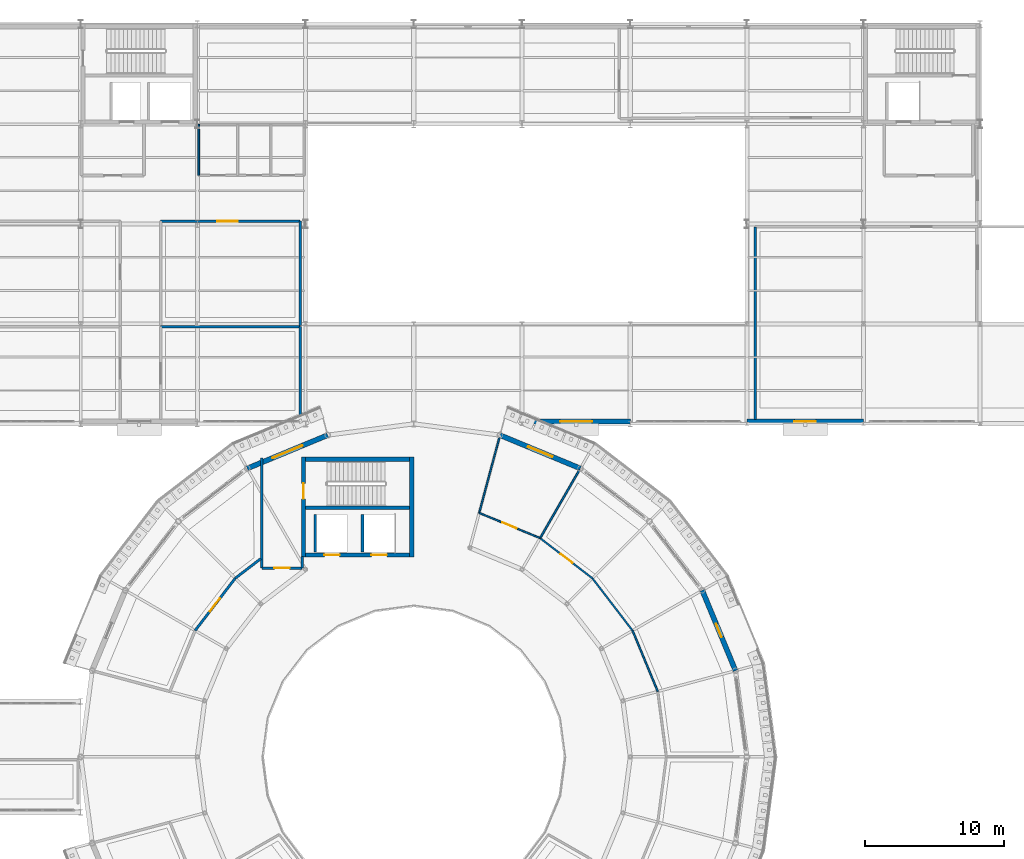
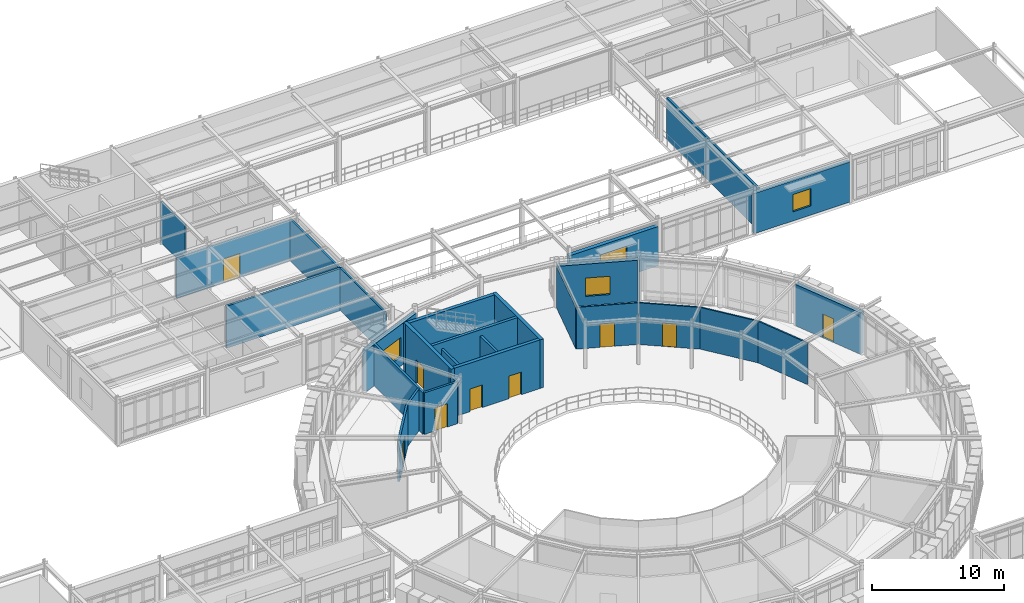
# One storey, part 90 of 106: 29 walls, 9 doors, 4 windows, 13 openings.
"""IFC4 building model written with IfcOpenShell, lengths in metres."""

from ifc_helpers import new_model, si_unit, derived_unit, direction, frame, frame_2d, origin, place, context, subcontext, project, spatial, rectangle, extrude, material, layer, layer_set, type_object, element, fill, save


model = new_model("IFC4")

# Units and contexts
model_context = context("Model", 3, precision=1e-05, world=origin(), true_north=direction((0.0, 1.0)))
body_context = subcontext(model_context, "Body", "Model", "MODEL_VIEW")
ifc_project = project(units=[si_unit("LENGTHUNIT", "METRE"), si_unit("AREAUNIT", "SQUARE_METRE"), si_unit("VOLUMEUNIT", "CUBIC_METRE"), si_unit("PLANEANGLEUNIT", "RADIAN"), si_unit("MASSUNIT", "GRAM", prefix="KILO"), derived_unit("THERMALTRANSMITTANCEUNIT", [(si_unit("POWERUNIT", "WATT"), 1), (si_unit("AREAUNIT", "SQUARE_METRE"), -1), (si_unit("THERMODYNAMICTEMPERATUREUNIT", "KELVIN"), -1)])], contexts=[model_context])

# Site, building, storey
site_placement = place(None, origin())
site = spatial("IfcSite", under=ifc_project, at=site_placement, CompositionType="ELEMENT")
building_placement = place(site_placement, origin())
building = spatial("IfcBuilding", under=site, at=building_placement, Name="Yasenodar Specialist Clinic", CompositionType="ELEMENT")
storey_placement = place(building_placement, frame((0.0, 0.0, 4.5)))
storey = spatial("IfcBuildingStorey", under=building, at=storey_placement, Name="L01", CompositionType="ELEMENT", Elevation=4.5)

# Wall, opening, door
ifc_material_1 = material(Name="Drum Insulated Terracotta Chord Wall", Category="masonry")
ifc_layer_1 = layer(ifc_material_1, 0.364990234375)
ifc_layer_set_1 = layer_set([ifc_layer_1], Name="Drum Insulated Terracotta Chord Wall")
wall_type_1 = type_object("IfcWallType", Name="EW-DRUM-365", PredefinedType="SOLIDWALL", material=ifc_layer_set_1)
wall_1_placement = place(storey_placement, frame((101.78466796875, 70.800048828125, 0.0), z_axis=(0.0, 0.0, 1.0), x_axis=(0.382663829839, -0.9238876519, 0.0)))
wall_1 = element("IfcWall", 1, at=wall_1_placement, inside=storey, type_object=wall_type_1, Name="L01 Exterior Facade Wall 0009", PredefinedType="SOLIDWALL", context=body_context, shape_type="SweptSolid", body=[
    extrude(rectangle(XDim=6.26513671875, YDim=0.364990234375, at=frame_2d((3.132568359375, 0.0))), origin(), (0.0, 0.0, 1.0), 3.837890625),
])
opening_1_placement = place(wall_1_placement, frame((2.607666015625, 0.0, 0.0)))
opening_1 = element("IfcOpeningElement", 2, at=opening_1_placement, cuts=wall_1, Name="Opening BD-01", PredefinedType="OPENING", context=body_context, shape_type="SweptSolid", body=[
    extrude(rectangle(XDim=1.050048828125, YDim=2.199951171875, at=frame_2d((0.52490234375, 1.10009765625))), frame((0.0, 0.1923828125, 0.0), z_axis=(0.0, -1.0, 0.0), x_axis=(1.0, 0.0, 0.0)), (0.0, 0.0, 1.0), 0.385009765625),
])
ifc_material_2 = material(Name="Thermally Broken Bronze Anodized Aluminium and Laminated Glass", Category="aluminium")
door_type_1 = type_object("IfcDoorType", Name="DR-BALC-105", OperationType="NOTDEFINED", PredefinedType="DOOR", material=ifc_material_2)
door_1_placement = place(opening_1_placement, origin())
door_1 = element("IfcDoor", 3, at=door_1_placement, inside=storey, type_object=door_type_1, Name="L01 Drum Balcony Access Door Sector 01", OperationType="SINGLE_SWING_LEFT", OverallHeight=2.199951171875, OverallWidth=1.050048828125, PredefinedType="DOOR", context=body_context, shape_type="SweptSolid", body=[
    extrude(rectangle(XDim=1.050048828125, YDim=2.199951171875, at=frame_2d((0.52490234375, 1.10009765625))), frame((0.0, 0.02490234375, 0.0), z_axis=(0.0, -1.0, 0.0), x_axis=(1.0, 0.0, 0.0)), (0.0, 0.0, 1.0), 0.050048828125),
])
fill(opening_1, door_1)

# Wall, opening, window
wall_2_placement = place(storey_placement, frame((87.211669921875, 81.982177734375, 0.0), z_axis=(0.0, 0.0, 1.0), x_axis=(0.9238876519, -0.382663829839, 0.0)))
wall_2 = element("IfcWall", 4, at=wall_2_placement, inside=storey, type_object=wall_type_1, Name="L01 Exterior Facade Wall 0010", PredefinedType="SOLIDWALL", context=body_context, shape_type="SweptSolid", body=[
    extrude(rectangle(XDim=6.26513671875, YDim=0.364990234375, at=frame_2d((3.132568359375, 0.0))), origin(), (0.0, 0.0, 1.0), 3.837890625),
])
opening_2_placement = place(wall_2_placement, frame((2.1826171875, 0.0, 0.85009765625)))
opening_2 = element("IfcOpeningElement", 5, at=opening_2_placement, cuts=wall_2, Name="Opening W-17", PredefinedType="OPENING", context=body_context, shape_type="SweptSolid", body=[
    extrude(rectangle(XDim=1.89990234375, YDim=1.699951171875, at=frame_2d((0.949951171875, 0.85009765625))), frame((0.0, 0.1923828125, 0.0), z_axis=(0.0, -1.0, 0.0), x_axis=(1.0, 0.0, 0.0)), (0.0, 0.0, 1.0), 0.385009765625),
])
ifc_material_3 = material(Name="Triple Low-E Argon Glazing in Bronze Aluminium Frame", Category="aluminium")
window_type_1 = type_object("IfcWindowType", Name="WIN-EXT-17", PartitioningType="SINGLE_PANEL", PredefinedType="WINDOW", material=ifc_material_3)
window_1_placement = place(opening_2_placement, origin())
window_1 = element("IfcWindow", 6, at=window_1_placement, inside=storey, type_object=window_type_1, Name="L01 Triple-Glazed Reveal Window 0007", OverallHeight=1.699951171875, OverallWidth=1.89990234375, PartitioningType="SINGLE_PANEL", PredefinedType="WINDOW", context=body_context, shape_type="SweptSolid", body=[
    extrude(rectangle(XDim=1.89990234375, YDim=1.699951171875, at=frame_2d((0.949951171875, 0.85009765625))), frame((0.0, 0.030029296875, 0.0), z_axis=(0.0, -1.0, 0.0), x_axis=(1.0, 0.0, 0.0)), (0.0, 0.0, 1.0), 0.06005859375),
])
fill(opening_2, window_1)

wall_3_placement = place(storey_placement, frame((69.0, 79.584716796875, 0.0), z_axis=(0.0, 0.0, 1.0), x_axis=(0.9238876519, 0.382663829839, 0.0)))
wall_3 = element("IfcWall", 7, at=wall_3_placement, inside=storey, type_object=wall_type_1, Name="L01 Exterior Facade Wall 0011", PredefinedType="SOLIDWALL", context=body_context, shape_type="SweptSolid", body=[
    extrude(rectangle(XDim=6.26513671875, YDim=0.364990234375, at=frame_2d((3.132568359375, 0.0))), origin(), (0.0, 0.0, 1.0), 3.837890625),
])
opening_3_placement = place(wall_3_placement, frame((1.95751953125, 0.0, 0.85009765625)))
opening_3 = element("IfcOpeningElement", 8, at=opening_3_placement, cuts=wall_3, Name="Opening W-26", PredefinedType="OPENING", context=body_context, shape_type="SweptSolid", body=[
    extrude(rectangle(XDim=2.35009765625, YDim=1.800048828125, at=frame_2d((1.175048828125, 0.89990234375))), frame((0.0, 0.1923828125, 0.0), z_axis=(0.0, -1.0, 0.0), x_axis=(1.0, 0.0, 0.0)), (0.0, 0.0, 1.0), 0.385009765625),
])
window_type_2 = type_object("IfcWindowType", Name="WIN-EXT-26", PartitioningType="SINGLE_PANEL", PredefinedType="WINDOW", material=ifc_material_3)
window_2_placement = place(opening_3_placement, origin())
window_2 = element("IfcWindow", 9, at=window_2_placement, inside=storey, type_object=window_type_2, Name="L01 Triple-Glazed Reveal Window 0008", OverallHeight=1.800048828125, OverallWidth=2.35009765625, PartitioningType="SINGLE_PANEL", PredefinedType="WINDOW", context=body_context, shape_type="SweptSolid", body=[
    extrude(rectangle(XDim=2.35009765625, YDim=1.800048828125, at=frame_2d((1.175048828125, 0.89990234375))), frame((0.0, 0.030029296875, 0.0), z_axis=(0.0, -1.0, 0.0), x_axis=(1.0, 0.0, 0.0)), (0.0, 0.0, 1.0), 0.06005859375),
])
fill(opening_3, window_2)

ifc_material_4 = material(Name="Buff Architectural Terracotta Rainscreen", Category="masonry")
ifc_layer_2 = layer(ifc_material_4, 0.340087890625)
ifc_layer_set_2 = layer_set([ifc_layer_2], Name="Buff Architectural Terracotta Rainscreen")
wall_type_2 = type_object("IfcWallType", Name="EW-TERR-340", PredefinedType="SOLIDWALL", material=ifc_layer_set_2)
wall_4_placement = place(storey_placement, frame((113.39990234375, 82.969970703125, 0.0), z_axis=(0.0, 0.0, 1.0), x_axis=(-1.0, 0.0, 0.0)))
wall_4 = element("IfcWall", 10, at=wall_4_placement, inside=storey, type_object=wall_type_2, Name="L01 Exterior Facade Wall 0136", PredefinedType="SOLIDWALL", context=body_context, shape_type="SweptSolid", body=[
    extrude(rectangle(XDim=8.39990234375, YDim=0.340087890625, at=frame_2d((4.199951171875, 0.0))), origin(), (0.0, 0.0, 1.0), 3.72802734375),
])
opening_4_placement = place(wall_4_placement, frame((3.425048828125, 0.0, 0.85009765625)))
opening_4 = element("IfcOpeningElement", 11, at=opening_4_placement, cuts=wall_4, Name="Opening W-16", PredefinedType="OPENING", context=body_context, shape_type="SweptSolid", body=[
    extrude(rectangle(XDim=1.550048828125, YDim=1.60009765625, at=frame_2d((0.77490234375, 0.800048828125))), frame((0.0, 0.18017578125, 0.0), z_axis=(0.0, -1.0, 0.0), x_axis=(1.0, 0.0, 0.0)), (0.0, 0.0, 1.0), 0.360107421875),
])
window_type_3 = type_object("IfcWindowType", Name="WIN-EXT-16", PartitioningType="SINGLE_PANEL", PredefinedType="WINDOW", material=ifc_material_3)
window_3_placement = place(opening_4_placement, origin())
window_3 = element("IfcWindow", 12, at=window_3_placement, inside=storey, type_object=window_type_3, Name="L01 Triple-Glazed Reveal Window 0152", OverallHeight=1.60009765625, OverallWidth=1.550048828125, PartitioningType="SINGLE_PANEL", PredefinedType="WINDOW", context=body_context, shape_type="SweptSolid", body=[
    extrude(rectangle(XDim=1.550048828125, YDim=1.60009765625, at=frame_2d((0.77490234375, 0.800048828125))), frame((0.0, 0.030029296875, 0.0), z_axis=(0.0, -1.0, 0.0), x_axis=(1.0, 0.0, 0.0)), (0.0, 0.0, 1.0), 0.06005859375),
])
fill(opening_4, window_3)

wall_5_placement = place(storey_placement, frame((96.60009765625, 82.969970703125, 0.0), z_axis=(0.0, 0.0, 1.0), x_axis=(-1.0, 0.0, 0.0)))
wall_5 = element("IfcWall", 13, at=wall_5_placement, inside=storey, type_object=wall_type_2, Name="L01 Exterior Facade Wall 0137", PredefinedType="SOLIDWALL", context=body_context, shape_type="SweptSolid", body=[
    extrude(rectangle(XDim=7.800048828125, YDim=0.340087890625, at=frame_2d((3.89990234375, 0.0))), origin(), (0.0, 0.0, 1.0), 3.6279296875),
])
opening_5_placement = place(wall_5_placement, frame((2.75, 0.0, 0.85009765625)))
opening_5 = element("IfcOpeningElement", 14, at=opening_5_placement, cuts=wall_5, Name="Opening W-18", PredefinedType="OPENING", context=body_context, shape_type="SweptSolid", body=[
    extrude(rectangle(XDim=2.300048828125, YDim=1.89990234375, at=frame_2d((1.14990234375, 0.949951171875))), frame((0.0, 0.18017578125, 0.0), z_axis=(0.0, -1.0, 0.0), x_axis=(1.0, 0.0, 0.0)), (0.0, 0.0, 1.0), 0.360107421875),
])
window_type_4 = type_object("IfcWindowType", Name="WIN-EXT-18", PartitioningType="SINGLE_PANEL", PredefinedType="WINDOW", material=ifc_material_3)
window_4_placement = place(opening_5_placement, origin())
window_4 = element("IfcWindow", 15, at=window_4_placement, inside=storey, type_object=window_type_4, Name="L01 Triple-Glazed Reveal Window 0153", OverallHeight=1.89990234375, OverallWidth=2.300048828125, PartitioningType="SINGLE_PANEL", PredefinedType="WINDOW", context=body_context, shape_type="SweptSolid", body=[
    extrude(rectangle(XDim=2.300048828125, YDim=1.89990234375, at=frame_2d((1.14990234375, 0.949951171875))), frame((0.0, 0.030029296875, 0.0), z_axis=(0.0, -1.0, 0.0), x_axis=(1.0, 0.0, 0.0)), (0.0, 0.0, 1.0), 0.06005859375),
])
fill(opening_5, window_4)

# Wall
ifc_material_5 = material(Name="Fire-Rated Gypsum and Mineral-Wool Wall")
ifc_layer_3 = layer(ifc_material_5, 0.195068359375)
ifc_layer_set_3 = layer_set([ifc_layer_3], Name="Fire-Rated Gypsum and Mineral-Wool Wall")
wall_type_3 = type_object("IfcWallType", Name="IW-LOBBY-195", PredefinedType="PARTITIONING", material=ifc_layer_set_3)
wall_6_placement = place(storey_placement, frame((70.050048828125, 72.39990234375, 0.0), z_axis=(0.0, 0.0, 1.0), x_axis=(0.0, 1.0, 0.0)))
element("IfcWall", 16, at=wall_6_placement, inside=storey, type_object=wall_type_3, Name="L01 C3 Stair Vestibule West Wall", PredefinedType="PARTITIONING", context=body_context, shape_type="SweptSolid", body=[
    extrude(rectangle(XDim=7.9501953125, YDim=0.195068359375, at=frame_2d((3.97509765625, 0.0))), origin(), (0.0, 0.0, 1.0), 3.837890625),
])

# Wall, opening, door
wall_7_placement = place(storey_placement, frame((70.050048828125, 72.39990234375, 0.0), z_axis=(0.0, 0.0, 1.0), x_axis=(1.0, 0.0, 0.0)))
wall_7 = element("IfcWall", 17, at=wall_7_placement, inside=storey, type_object=wall_type_3, Name="L01 C3 Stair Vestibule South Wall", PredefinedType="PARTITIONING", context=body_context, shape_type="SweptSolid", body=[
    extrude(rectangle(XDim=2.89990234375, YDim=0.195068359375, at=frame_2d((1.449951171875, 0.0))), origin(), (0.0, 0.0, 1.0), 3.867919921875),
])
opening_6_placement = place(wall_7_placement, frame((0.89990234375, 0.0, 0.0)))
opening_6 = element("IfcOpeningElement", 18, at=opening_6_placement, cuts=wall_7, Name="Opening FD-01", PredefinedType="OPENING", context=body_context, shape_type="SweptSolid", body=[
    extrude(rectangle(XDim=1.10009765625, YDim=2.14990234375, at=frame_2d((0.550048828125, 1.074951171875))), frame((0.0, 0.107421875, 0.0), z_axis=(0.0, -1.0, 0.0), x_axis=(1.0, 0.0, 0.0)), (0.0, 0.0, 1.0), 0.215087890625),
])
ifc_material_6 = material(Name="Fire-Rated Insulated Steel Door", Category="steel")
door_type_2 = type_object("IfcDoorType", Name="DR-FD-110", OperationType="NOTDEFINED", PredefinedType="DOOR", material=ifc_material_6)
door_2_placement = place(opening_6_placement, origin())
door_2 = element("IfcDoor", 19, at=door_2_placement, inside=storey, type_object=door_type_2, Name="L01 Stair ST-03 Ring Corridor Vestibule Door", OperationType="SINGLE_SWING_LEFT", OverallHeight=2.14990234375, OverallWidth=1.10009765625, PredefinedType="DOOR", context=body_context, shape_type="SweptSolid", body=[
    extrude(rectangle(XDim=1.10009765625, YDim=2.14990234375, at=frame_2d((0.550048828125, 1.074951171875))), frame((0.0, 0.02490234375, 0.0), z_axis=(0.0, -1.0, 0.0), x_axis=(1.0, 0.0, 0.0)), (0.0, 0.0, 1.0), 0.050048828125),
])
fill(opening_6, door_2)

# Wall
wall_8_placement = place(storey_placement, frame((72.949951171875, 72.39990234375, 0.0), z_axis=(0.0, 0.0, 1.0), x_axis=(0.0, 1.0, 0.0)))
element("IfcWall", 20, at=wall_8_placement, inside=storey, type_object=wall_type_3, Name="L01 C3 Stair Vestibule Corner Return Wall", PredefinedType="PARTITIONING", context=body_context, shape_type="SweptSolid", body=[
    extrude(rectangle(XDim=0.85009765625, YDim=0.195068359375, at=frame_2d((0.425048828125, 0.0))), origin(), (0.0, 0.0, 1.0), 3.867919921875),
])

# Wall, opening, door
ifc_material_7 = material(Name="Lightweight Counseling Partition")
ifc_layer_4 = layer(ifc_material_7, 0.114990234375)
ifc_layer_set_4 = layer_set([ifc_layer_4], Name="Lightweight Counseling Partition")
wall_type_4 = type_object("IfcWallType", Name="IW-PART-115", PredefinedType="PARTITIONING", material=ifc_layer_set_4)
wall_9_placement = place(storey_placement, frame((90.081298828125, 74.5693359375, 0.0), z_axis=(0.0, 0.0, 1.0), x_axis=(-0.923873427778, 0.382698170162, 0.0)))
wall_9 = element("IfcWall", 21, at=wall_9_placement, inside=storey, type_object=wall_type_4, Name="L01 Clean Medication Prep Room Partition", PredefinedType="PARTITIONING", context=body_context, shape_type="SweptSolid", body=[
    extrude(rectangle(XDim=4.73095703125, YDim=0.114990234375, at=frame_2d((2.365478515625, 0.0))), origin(), (0.0, 0.0, 1.0), 3.867919921875),
])
opening_7_placement = place(wall_9_placement, frame((1.8154296875, 0.0, 0.0)))
opening_7 = element("IfcOpeningElement", 22, at=opening_7_placement, cuts=wall_9, Name="Opening D-05", PredefinedType="OPENING", context=body_context, shape_type="SweptSolid", body=[
    extrude(rectangle(XDim=1.1201171875, YDim=2.179931640625, at=frame_2d((0.56005859375, 1.08984375))), frame((0.0, 0.0673828125, 0.0), z_axis=(0.0, -1.0, 0.0), x_axis=(1.0, 0.0, 0.0)), (0.0, 0.0, 1.0), 0.135009765625),
])
ifc_material_8 = material(Name="Powder-Coated Steel and Acoustic Laminate Leaf", Category="steel")
door_type_3 = type_object("IfcDoorType", Name="DR-CLN-112", OperationType="NOTDEFINED", PredefinedType="DOOR", material=ifc_material_8)
door_3_placement = place(opening_7_placement, origin())
door_3 = element("IfcDoor", 23, at=door_3_placement, inside=storey, type_object=door_type_3, Name="L01 Clean Medication Prep Room Door", OperationType="SINGLE_SWING_RIGHT", OverallHeight=2.179931640625, OverallWidth=1.1201171875, PredefinedType="DOOR", context=body_context, shape_type="SweptSolid", body=[
    extrude(rectangle(XDim=1.1201171875, YDim=2.179931640625, at=frame_2d((0.56005859375, 1.08984375))), frame((0.0, 0.02490234375, 0.0), z_axis=(0.0, -1.0, 0.0), x_axis=(1.0, 0.0, 0.0)), (0.0, 0.0, 1.0), 0.050048828125),
])
fill(opening_7, door_3)

# Wall
wall_10_placement = place(storey_placement, frame((85.71044921875, 76.3798828125, 0.0), z_axis=(0.0, 0.0, 1.0), x_axis=(0.258829913508, 0.965922914043, 0.0)))
element("IfcWall", 24, at=wall_10_placement, inside=storey, type_object=wall_type_4, Name="L01 Clean Medication Prep Room Partition", PredefinedType="PARTITIONING", context=body_context, shape_type="SweptSolid", body=[
    extrude(rectangle(XDim=5.635986328125, YDim=0.114990234375, at=frame_2d((2.81787109375, 0.0))), origin(), (0.0, 0.0, 1.0), 3.837890625),
])

# Wall, opening, door
ifc_material_9 = material(Name="Clinical Sub-Division Partition")
ifc_layer_5 = layer(ifc_material_9, 0.125)
ifc_layer_set_5 = layer_set([ifc_layer_5], Name="Clinical Sub-Division Partition")
wall_type_5 = type_object("IfcWallType", Name="IW-PART-125", PredefinedType="PARTITIONING", material=ifc_layer_set_5)
wall_11_placement = place(storey_placement, frame((93.869384765625, 71.669189453125, 0.0), z_axis=(0.0, 0.0, 1.0), x_axis=(-0.793322600477, 0.60880148782, 0.0)))
wall_11 = element("IfcWall", 25, at=wall_11_placement, inside=storey, type_object=wall_type_5, Name="L01 Oncology Infusion Bay Suite North-East Partition", PredefinedType="PARTITIONING", context=body_context, shape_type="SweptSolid", body=[
    extrude(rectangle(XDim=4.751220703125, YDim=0.125, at=frame_2d((2.37548828125, 0.0))), origin(), (0.0, 0.0, 1.0), 3.867919921875),
])
opening_8_placement = place(wall_11_placement, frame((1.82568359375, 0.0, 0.0)))
opening_8 = element("IfcOpeningElement", 26, at=opening_8_placement, cuts=wall_11, Name="Opening D-04", PredefinedType="OPENING", context=body_context, shape_type="SweptSolid", body=[
    extrude(rectangle(XDim=1.06005859375, YDim=2.159912109375, at=frame_2d((0.530029296875, 1.080078125))), frame((0.0, 0.072509765625, 0.0), z_axis=(0.0, -1.0, 0.0), x_axis=(1.0, 0.0, 0.0)), (0.0, 0.0, 1.0), 0.14501953125),
])
door_type_4 = type_object("IfcDoorType", Name="DR-CLN-106", OperationType="NOTDEFINED", PredefinedType="DOOR", material=ifc_material_8)
door_4_placement = place(opening_8_placement, origin())
door_4 = element("IfcDoor", 27, at=door_4_placement, inside=storey, type_object=door_type_4, Name="L01 Oncology Infusion Bay Suite North-East Door", OperationType="SINGLE_SWING_LEFT", OverallHeight=2.159912109375, OverallWidth=1.06005859375, PredefinedType="DOOR", context=body_context, shape_type="SweptSolid", body=[
    extrude(rectangle(XDim=1.06005859375, YDim=2.159912109375, at=frame_2d((0.530029296875, 1.080078125))), frame((0.0, 0.02490234375, 0.0), z_axis=(0.0, -1.0, 0.0), x_axis=(1.0, 0.0, 0.0)), (0.0, 0.0, 1.0), 0.050048828125),
])
fill(opening_8, door_4)

# Walls
wall_12_placement = place(storey_placement, frame((96.76171875, 67.89990234375, 0.0), z_axis=(0.0, 0.0, 1.0), x_axis=(-0.608769147025, 0.793347417989, 0.0)))
element("IfcWall", 28, at=wall_12_placement, inside=storey, type_object=wall_type_5, Name="L01 Oncology Infusion Bay Suite North-East Partition", PredefinedType="PARTITIONING", context=body_context, shape_type="SweptSolid", body=[
    extrude(rectangle(XDim=4.751220703125, YDim=0.125, at=frame_2d((2.37548828125, 0.0))), origin(), (0.0, 0.0, 1.0), 3.867919921875),
])
wall_13_placement = place(storey_placement, frame((98.579833984375, 63.510498046875, 0.0), z_axis=(0.0, 0.0, 1.0), x_axis=(-0.382677044484, 0.923882178432, 0.0)))
element("IfcWall", 29, at=wall_13_placement, inside=storey, type_object=wall_type_5, Name="L01 Oncology Infusion Bay Suite North-East Partition", PredefinedType="PARTITIONING", context=body_context, shape_type="SweptSolid", body=[
    extrude(rectangle(XDim=4.7509765625, YDim=0.125, at=frame_2d((2.37548828125, 0.0))), origin(), (0.0, 0.0, 1.0), 3.867919921875),
])
wall_14_placement = place(storey_placement, frame((90.10009765625, 74.561767578125, 0.0), z_axis=(0.0, 0.0, 1.0), x_axis=(0.500006198144, 0.866021825255, 0.0)))
element("IfcWall", 30, at=wall_14_placement, inside=storey, type_object=wall_type_5, Name="L01 Oncology Infusion Bay Suite North-East Partition", PredefinedType="PARTITIONING", context=body_context, shape_type="SweptSolid", body=[
    extrude(rectangle(XDim=5.6357421875, YDim=0.125, at=frame_2d((2.81787109375, 0.0))), origin(), (0.0, 0.0, 1.0), 3.837890625),
])

# Wall, opening, door
ifc_material_10 = material(Name="Hygienic Double-Stud Clinical Partition")
ifc_layer_6 = layer(ifc_material_10, 0.179931640625)
ifc_layer_set_6 = layer_set([ifc_layer_6], Name="Hygienic Double-Stud Clinical Partition")
wall_type_6 = type_object("IfcWallType", Name="IW-PROC-180", PredefinedType="PARTITIONING", material=ifc_layer_set_6)
wall_15_placement = place(storey_placement, frame((68.130615234375, 71.669189453125, 0.0), z_axis=(0.0, 0.0, 1.0), x_axis=(-0.608769147025, -0.793347417989, 0.0)))
wall_15 = element("IfcWall", 31, at=wall_15_placement, inside=storey, type_object=wall_type_6, Name="L01 Oncology Infusion Bay Suite North-West Partition", PredefinedType="PARTITIONING", context=body_context, shape_type="SweptSolid", body=[
    extrude(rectangle(XDim=4.751220703125, YDim=0.179931640625, at=frame_2d((2.37548828125, 0.0))), origin(), (0.0, 0.0, 1.0), 3.867919921875),
])
opening_9_placement = place(wall_15_placement, frame((1.82568359375, 0.0, 0.0)))
opening_9 = element("IfcOpeningElement", 32, at=opening_9_placement, cuts=wall_15, Name="Opening D-06", PredefinedType="OPENING", context=body_context, shape_type="SweptSolid", body=[
    extrude(rectangle(XDim=1.179931640625, YDim=2.199951171875, at=frame_2d((0.58984375, 1.10009765625))), frame((0.0, 0.10009765625, 0.0), z_axis=(0.0, -1.0, 0.0), x_axis=(1.0, 0.0, 0.0)), (0.0, 0.0, 1.0), 0.199951171875),
])
door_type_5 = type_object("IfcDoorType", Name="DR-CLN-118", OperationType="NOTDEFINED", PredefinedType="DOOR", material=ifc_material_8)
door_5_placement = place(opening_9_placement, origin())
door_5 = element("IfcDoor", 33, at=door_5_placement, inside=storey, type_object=door_type_5, Name="L01 Oncology Infusion Bay Suite North-West Door", OperationType="SINGLE_SWING_LEFT", OverallHeight=2.199951171875, OverallWidth=1.179931640625, PredefinedType="DOOR", context=body_context, shape_type="SweptSolid", body=[
    extrude(rectangle(XDim=1.179931640625, YDim=2.199951171875, at=frame_2d((0.58984375, 1.10009765625))), frame((0.0, 0.02490234375, 0.0), z_axis=(0.0, -1.0, 0.0), x_axis=(1.0, 0.0, 0.0)), (0.0, 0.0, 1.0), 0.050048828125),
])
fill(opening_9, door_5)

# Walls
wall_16_placement = place(storey_placement, frame((69.968505859375, 73.079345703125, 0.0), z_axis=(0.0, 0.0, 1.0), x_axis=(-0.7933756116, -0.608732403374, 0.0)))
element("IfcWall", 34, at=wall_16_placement, inside=storey, type_object=wall_type_6, Name="L01 Oncology Infusion Bay Suite North-West Partition", PredefinedType="PARTITIONING", context=body_context, shape_type="SweptSolid", body=[
    extrude(rectangle(XDim=2.316650390625, YDim=0.179931640625, at=frame_2d((1.158203125, 0.0))), origin(), (0.0, 0.0, 1.0), 3.867919921875),
])
wall_17_placement = place(storey_placement, frame((72.800048828125, 89.800048828125, 0.0), z_axis=(0.0, 0.0, 1.0), x_axis=(-1.0, 0.0, 0.0)))
element("IfcWall", 35, at=wall_17_placement, inside=storey, type_object=wall_type_6, Name="L01 Endoscopy Procedure Suite 02 Partition", PredefinedType="PARTITIONING", context=body_context, shape_type="SweptSolid", body=[
    extrude(rectangle(XDim=10.050048828125, YDim=0.179931640625, at=frame_2d((5.02490234375, 0.0))), origin(), (0.0, 0.0, 1.0), 3.887939453125),
])
wall_18_placement = place(storey_placement, frame((72.800048828125, 83.030029296875, 0.0), z_axis=(0.0, 0.0, 1.0), x_axis=(0.0, 1.0, 0.0)))
element("IfcWall", 36, at=wall_18_placement, inside=storey, type_object=wall_type_6, Name="L01 Endoscopy Procedure Suite 02 Partition", PredefinedType="PARTITIONING", context=body_context, shape_type="SweptSolid", body=[
    extrude(rectangle(XDim=6.77001953125, YDim=0.179931640625, at=frame_2d((3.385009765625, 0.0))), origin(), (0.0, 0.0, 1.0), 3.927978515625),
])

# Wall, opening, door
wall_19_placement = place(storey_placement, frame((72.800048828125, 97.39990234375, 0.0), z_axis=(0.0, 0.0, 1.0), x_axis=(-1.0, 0.0, 0.0)))
wall_19 = element("IfcWall", 37, at=wall_19_placement, inside=storey, type_object=wall_type_6, Name="L01 Endoscopy Step-Down Recovery Bay Partition", PredefinedType="PARTITIONING", context=body_context, shape_type="SweptSolid", body=[
    extrude(rectangle(XDim=10.050048828125, YDim=0.179931640625, at=frame_2d((5.02490234375, 0.0))), origin(), (0.0, 0.0, 1.0), 3.7880859375),
])
opening_10_placement = place(wall_19_placement, frame((4.47509765625, 0.0, 0.0)))
opening_10 = element("IfcOpeningElement", 38, at=opening_10_placement, cuts=wall_19, Name="Opening D-09", PredefinedType="OPENING", context=body_context, shape_type="SweptSolid", body=[
    extrude(rectangle(XDim=1.47998046875, YDim=2.239990234375, at=frame_2d((0.739990234375, 1.1201171875))), frame((0.0, 0.10009765625, 0.0), z_axis=(0.0, -1.0, 0.0), x_axis=(1.0, 0.0, 0.0)), (0.0, 0.0, 1.0), 0.199951171875),
])
door_type_6 = type_object("IfcDoorType", Name="DR-BED-148", OperationType="DOUBLE_DOOR_SINGLE_SWING", PredefinedType="DOOR", material=ifc_material_8)
door_6_placement = place(opening_10_placement, origin())
door_6 = element("IfcDoor", 39, at=door_6_placement, inside=storey, type_object=door_type_6, Name="L01 Endoscopy Step-Down Recovery Bay Door", OperationType="DOUBLE_DOOR_SINGLE_SWING", OverallHeight=2.239990234375, OverallWidth=1.47998046875, PredefinedType="DOOR", context=body_context, shape_type="SweptSolid", body=[
    extrude(rectangle(XDim=1.47998046875, YDim=2.239990234375, at=frame_2d((0.739990234375, 1.1201171875))), frame((0.0, 0.02490234375, 0.0), z_axis=(0.0, -1.0, 0.0), x_axis=(1.0, 0.0, 0.0)), (0.0, 0.0, 1.0), 0.050048828125),
])
fill(opening_10, door_6)

# Walls
wall_20_placement = place(storey_placement, frame((72.800048828125, 89.8701171875, 0.0), z_axis=(0.0, 0.0, 1.0), x_axis=(0.0, 1.0, 0.0)))
element("IfcWall", 40, at=wall_20_placement, inside=storey, type_object=wall_type_6, Name="L01 Endoscopy Step-Down Recovery Bay Partition", PredefinedType="PARTITIONING", context=body_context, shape_type="SweptSolid", body=[
    extrude(rectangle(XDim=7.52978515625, YDim=0.179931640625, at=frame_2d((3.764892578125, 0.0))), origin(), (0.0, 0.0, 1.0), 3.837890625),
])
wall_21_placement = place(storey_placement, frame((105.60009765625, 83.1201171875, 0.0), z_axis=(0.0, 0.0, 1.0), x_axis=(0.0, 1.0, 0.0)))
element("IfcWall", 41, at=wall_21_placement, inside=storey, type_object=wall_type_6, Name="L01 Pain Block Procedure Suite Partition", PredefinedType="PARTITIONING", context=body_context, shape_type="SweptSolid", body=[
    extrude(rectangle(XDim=13.8798828125, YDim=0.179931640625, at=frame_2d((6.93994140625, 0.0))), origin(), (0.0, 0.0, 1.0), 3.837890625),
])
ifc_material_11 = material(Name="Aerated Concrete Blockwork Fire Shaft Wall", Category="masonry")
ifc_layer_7 = layer(ifc_material_11, 0.205078125)
ifc_layer_set_7 = layer_set([ifc_layer_7], Name="Aerated Concrete Blockwork Fire Shaft Wall")
wall_type_7 = type_object("IfcWallType", Name="IW-SHAFT-205", PredefinedType="PARTITIONING", material=ifc_layer_set_7)
for number, where, z_axis, x_axis, name in (
    (42, (73.89990234375, 73.550048828125, 0.0), (0.0, 0.0, 1.0), (0.0, 1.0, 0.0), "L01 LF-06 Lift Shaft Side Wall"),
    (43, (77.300048828125, 73.550048828125, 0.0), (0.0, 0.0, 1.0), (0.0, 1.0, 0.0), "L01 LF-07 Lift Shaft Side Wall"),
):
    element("IfcWall", number, at=place(storey_placement, frame(where, z_axis=z_axis, x_axis=x_axis)), inside=storey, type_object=wall_type_7, Name=name, PredefinedType="PARTITIONING", context=body_context, shape_type="SweptSolid", body=[
        extrude(rectangle(XDim=2.699951171875, YDim=0.205078125, at=frame_2d((1.35009765625, 0.0))), origin(), (0.0, 0.0, 1.0), 4.22998046875),
    ])
ifc_material_12 = material(Name="Moisture-Resistant Sanitary Partition")
ifc_layer_8 = layer(ifc_material_12, 0.139892578125)
ifc_layer_set_8 = layer_set([ifc_layer_8], Name="Moisture-Resistant Sanitary Partition")
wall_type_8 = type_object("IfcWallType", Name="IW-WET-140", PredefinedType="PARTITIONING", material=ifc_layer_set_8)
wall_22_placement = place(storey_placement, frame((65.5, 100.699951171875, 0.0), z_axis=(0.0, 0.0, 1.0), x_axis=(0.0, 1.0, 0.0)))
element("IfcWall", 44, at=wall_22_placement, inside=storey, type_object=wall_type_8, Name="L01 North Sanitary Block West Wall", PredefinedType="PARTITIONING", context=body_context, shape_type="SweptSolid", body=[
    extrude(rectangle(XDim=3.679931640625, YDim=0.139892578125, at=frame_2d((1.83984375, 0.0))), origin(), (0.0, 0.0, 1.0), 3.7880859375),
])
ifc_material_13 = material(Name="Concrete C35/45", Category="concrete")
ifc_layer_9 = layer(ifc_material_13, 0.25)
ifc_layer_set_9 = layer_set([ifc_layer_9], Name="Concrete C35/45")
wall_type_9 = type_object("IfcWallType", Name="WL-CORE-250", PredefinedType="SHEAR", material=ifc_layer_set_9)
wall_23_placement = place(storey_placement, frame((73.199951171875, 76.75, 0.0), z_axis=(0.0, 0.0, 1.0), x_axis=(1.0, 0.0, 0.0)))
element("IfcWall", 45, at=wall_23_placement, inside=storey, type_object=wall_type_9, Name="L01 Core C3 Central Spine Wall", PredefinedType="SHEAR", context=body_context, shape_type="SweptSolid", body=[
    extrude(rectangle(XDim=7.5, YDim=0.25, at=frame_2d((3.75, 0.0))), origin(), (0.0, 0.0, 1.0), 4.5),
])
ifc_layer_10 = layer(ifc_material_13, 0.300048828125)
ifc_layer_set_10 = layer_set([ifc_layer_10], Name="Concrete C35/45")
wall_type_10 = type_object("IfcWallType", Name="WL-CORE-300", PredefinedType="SHEAR", material=ifc_layer_set_10)
wall_24_placement = place(storey_placement, frame((72.89990234375, 80.25, 0.0), z_axis=(0.0, 0.0, 1.0), x_axis=(1.0, 0.0, 0.0)))
element("IfcWall", 46, at=wall_24_placement, inside=storey, type_object=wall_type_10, Name="L01 Core C3 North Shear Wall", PredefinedType="SHEAR", context=body_context, shape_type="SweptSolid", body=[
    extrude(rectangle(XDim=8.10009765625, YDim=0.300048828125, at=frame_2d((4.050048828125, 0.0))), origin(), (0.0, 0.0, 1.0), 4.5),
])

# Wall, openings, doors
wall_25_placement = place(storey_placement, frame((72.89990234375, 73.35009765625, 0.0), z_axis=(0.0, 0.0, 1.0), x_axis=(1.0, 0.0, 0.0)))
wall_25 = element("IfcWall", 47, at=wall_25_placement, inside=storey, type_object=wall_type_10, Name="L01 Core C3 South Shear Wall", PredefinedType="SHEAR", context=body_context, shape_type="SweptSolid", body=[
    extrude(rectangle(XDim=8.10009765625, YDim=0.300048828125, at=frame_2d((4.050048828125, 0.0))), origin(), (0.0, 0.0, 1.0), 4.5),
])
opening_11_placement = place(wall_25_placement, frame((1.64990234375, 0.0, 0.0)))
opening_11 = element("IfcOpeningElement", 48, at=opening_11_placement, cuts=wall_25, Name="Opening LD-03", PredefinedType="OPENING", context=body_context, shape_type="SweptSolid", body=[
    extrude(rectangle(XDim=1.10009765625, YDim=2.10009765625, at=frame_2d((0.550048828125, 1.050048828125))), frame((0.0, 0.16015625, 0.0), z_axis=(0.0, -1.0, 0.0), x_axis=(1.0, 0.0, 0.0)), (0.0, 0.0, 1.0), 0.320068359375),
])
opening_12_placement = place(wall_25_placement, frame((5.050048828125, 0.0, 0.0)))
opening_12 = element("IfcOpeningElement", 49, at=opening_12_placement, cuts=wall_25, Name="Opening LD-03", PredefinedType="OPENING", context=body_context, shape_type="SweptSolid", body=[
    extrude(rectangle(XDim=1.10009765625, YDim=2.10009765625, at=frame_2d((0.550048828125, 1.050048828125))), frame((0.0, 0.16015625, 0.0), z_axis=(0.0, -1.0, 0.0), x_axis=(1.0, 0.0, 0.0)), (0.0, 0.0, 1.0), 0.320068359375),
])
door_type_7 = type_object("IfcDoorType", Name="DR-LD-110", OperationType="DOUBLE_DOOR_SLIDING", PredefinedType="DOOR", material=ifc_material_6)
door_7_placement = place(opening_11_placement, origin())
door_7 = element("IfcDoor", 50, at=door_7_placement, inside=storey, type_object=door_type_7, Name="L01 LF-06 Lift Landing Door", OperationType="DOUBLE_DOOR_SLIDING", OverallHeight=2.10009765625, OverallWidth=1.10009765625, PredefinedType="DOOR", context=body_context, shape_type="SweptSolid", body=[
    extrude(rectangle(XDim=1.10009765625, YDim=2.10009765625, at=frame_2d((0.550048828125, 1.050048828125))), frame((0.0, 0.02490234375, 0.0), z_axis=(0.0, -1.0, 0.0), x_axis=(1.0, 0.0, 0.0)), (0.0, 0.0, 1.0), 0.050048828125),
])
fill(opening_11, door_7)
door_8_placement = place(opening_12_placement, origin())
door_8 = element("IfcDoor", 51, at=door_8_placement, inside=storey, type_object=door_type_7, Name="L01 LF-07 Lift Landing Door", OperationType="DOUBLE_DOOR_SLIDING", OverallHeight=2.10009765625, OverallWidth=1.10009765625, PredefinedType="DOOR", context=body_context, shape_type="SweptSolid", body=[
    extrude(rectangle(XDim=1.10009765625, YDim=2.10009765625, at=frame_2d((0.550048828125, 1.050048828125))), frame((0.0, 0.02490234375, 0.0), z_axis=(0.0, -1.0, 0.0), x_axis=(1.0, 0.0, 0.0)), (0.0, 0.0, 1.0), 0.050048828125),
])
fill(opening_12, door_8)

# Wall, opening, door
wall_26_placement = place(storey_placement, frame((73.050048828125, 73.199951171875, 0.0), z_axis=(0.0, 0.0, 1.0), x_axis=(0.0, 1.0, 0.0)))
wall_26 = element("IfcWall", 52, at=wall_26_placement, inside=storey, type_object=wall_type_10, Name="L01 Core C3 West Shear Wall", PredefinedType="SHEAR", context=body_context, shape_type="SweptSolid", body=[
    extrude(rectangle(XDim=7.199951171875, YDim=0.300048828125, at=frame_2d((3.60009765625, 0.0))), origin(), (0.0, 0.0, 1.0), 4.5),
])
opening_13_placement = place(wall_26_placement, frame((4.199951171875, 0.0, 0.0)))
opening_13 = element("IfcOpeningElement", 53, at=opening_13_placement, cuts=wall_26, Name="Opening FD-01", PredefinedType="OPENING", context=body_context, shape_type="SweptSolid", body=[
    extrude(rectangle(XDim=1.10009765625, YDim=2.14990234375, at=frame_2d((0.550048828125, 1.074951171875))), frame((0.0, 0.16015625, 0.0), z_axis=(0.0, -1.0, 0.0), x_axis=(1.0, 0.0, 0.0)), (0.0, 0.0, 1.0), 0.320068359375),
])
door_9_placement = place(opening_13_placement, origin())
door_9 = element("IfcDoor", 54, at=door_9_placement, inside=storey, type_object=door_type_2, Name="L01 ST-03 Protected Stair Door", OperationType="SINGLE_SWING_RIGHT", OverallHeight=2.14990234375, OverallWidth=1.10009765625, PredefinedType="DOOR", context=body_context, shape_type="SweptSolid", body=[
    extrude(rectangle(XDim=1.10009765625, YDim=2.14990234375, at=frame_2d((0.550048828125, 1.074951171875))), frame((0.0, 0.02490234375, 0.0), z_axis=(0.0, -1.0, 0.0), x_axis=(1.0, 0.0, 0.0)), (0.0, 0.0, 1.0), 0.050048828125),
])
fill(opening_13, door_9)

# Wall
wall_27_placement = place(storey_placement, frame((80.85009765625, 73.199951171875, 0.0), z_axis=(0.0, 0.0, 1.0), x_axis=(0.0, 1.0, 0.0)))
element("IfcWall", 55, at=wall_27_placement, inside=storey, type_object=wall_type_10, Name="L01 Core C3 East Shear Wall", PredefinedType="SHEAR", context=body_context, shape_type="SweptSolid", body=[
    extrude(rectangle(XDim=7.199951171875, YDim=0.300048828125, at=frame_2d((3.60009765625, 0.0))), origin(), (0.0, 0.0, 1.0), 4.5),
])

save(model, "model.ifc")
